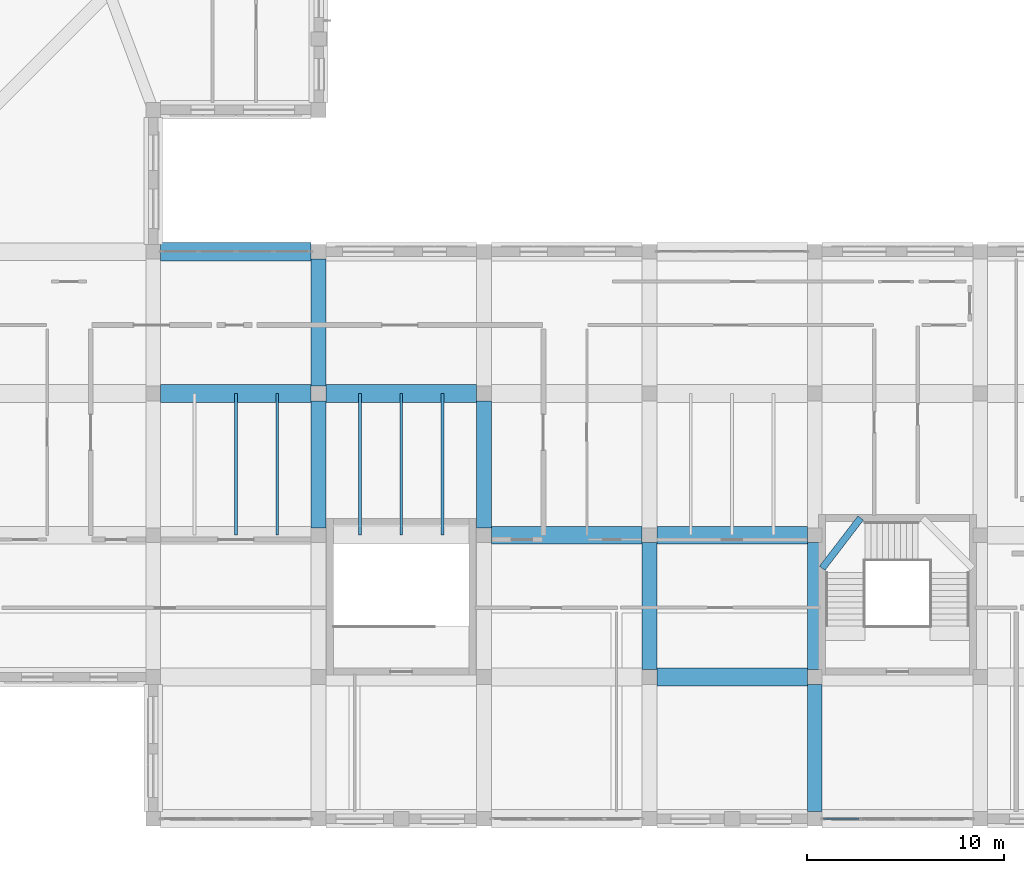
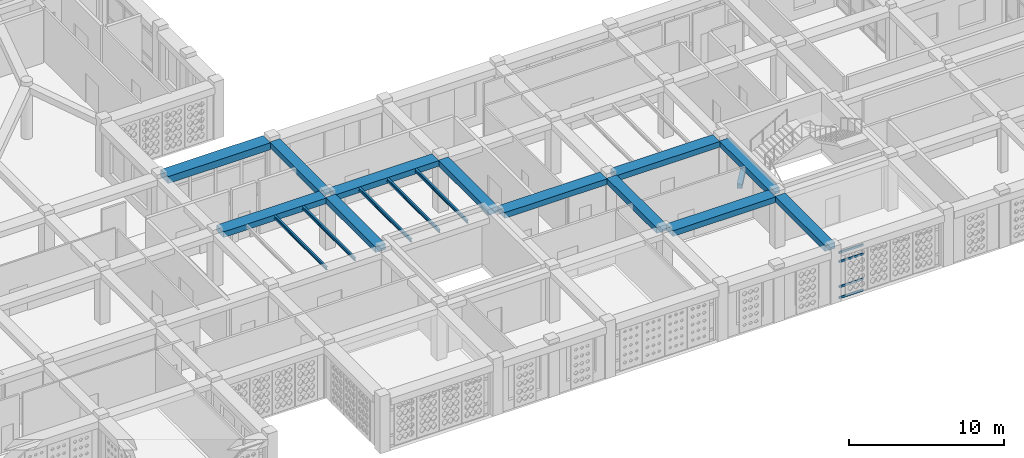
# One storey, part 25 of 111: 18 beams, 4 members, 1 element without a shape of its own.
"""IFC4 building model written with IfcOpenShell, lengths in metres."""

from ifc_helpers import new_model, si_unit, derived_unit, direction, frame, origin, origin_2d, place, context, subcontext, project, spatial, rectangle, hollow_rectangle, i_section, extrude, material, material_profile, profile_set, type_object, element, aggregate, save


model = new_model("IFC4")

# Units and contexts
model_context = context("Model", 3, precision=1e-05, world=origin(), true_north=direction((0.0, 1.0)))
body_context = subcontext(model_context, "Body", "Model", "MODEL_VIEW")
ifc_project = project(units=[si_unit("LENGTHUNIT", "METRE"), si_unit("AREAUNIT", "SQUARE_METRE"), si_unit("VOLUMEUNIT", "CUBIC_METRE"), si_unit("PLANEANGLEUNIT", "RADIAN"), si_unit("MASSUNIT", "GRAM", prefix="KILO"), derived_unit("THERMALTRANSMITTANCEUNIT", [(si_unit("POWERUNIT", "WATT"), 1), (si_unit("LENGTHUNIT", "METRE"), -2), (si_unit("THERMODYNAMICTEMPERATUREUNIT", "KELVIN"), -1)])], contexts=[model_context])

# Site, building, storey
site_placement = place(None, origin())
site = spatial("IfcSite", under=ifc_project, at=site_placement, CompositionType="ELEMENT")
building_placement = place(site_placement, origin())
building = spatial("IfcBuilding", under=site, at=building_placement, Name="Veybourne Emporium", CompositionType="ELEMENT")
storey_placement = place(building_placement, frame((0.0, 0.0, 9.89990234375)))
storey = spatial("IfcBuildingStorey", under=building, at=storey_placement, Name="L02", CompositionType="ELEMENT", Elevation=9.89990234375)

# Curtain wall, members
ifc_material_1 = material(Name="Patinated Architectural Bronze", Category="bronze")
curtain_wall_type = type_object("IfcCurtainWallType", Name="CWSystem_CWS-27", PredefinedType="NOTDEFINED", material=ifc_material_1)
curtain_wall_placement = place(storey_placement, origin())
curtain_wall = element("IfcCurtainWall", 1, at=curtain_wall_placement, inside=storey, type_object=curtain_wall_type, Name="L02 bronze glazed curtain wall CWS-27 (067)", PredefinedType="NOTDEFINED")
ifc_material_profile_1 = material_profile(ifc_material_1, hollow_rectangle(XDim=0.077880859375, YDim=0.18505859375, WallThickness=0.0048828125, InnerFilletRadius=0.007568359375, OuterFilletRadius=0.012451171875, at=origin_2d()), Name="CWT 78x185x5")
ifc_profile_set_1 = profile_set([ifc_material_profile_1], Name="Patinated Architectural Bronze")
member_type = type_object("IfcMemberType", Name="CWTransom_CW-T3", PredefinedType="NOTDEFINED", material=ifc_profile_set_1)
member_1_placement = place(storey_placement, frame((128.24853515625, 0.0, 0.0390625), z_axis=(-1.0, 0.0, 0.0), x_axis=(0.0, -1.0, 0.0)))
member_1 = element("IfcMember", 2, at=member_1_placement, type_object=member_type, Name="CWS-27 transom 4.1", ObjectType="TRANSOM", PredefinedType="USERDEFINED", context=body_context, shape_type="SweptSolid", body=[
    extrude(hollow_rectangle(XDim=0.077880859375, YDim=0.18505859375, WallThickness=0.0048828125, InnerFilletRadius=0.007568359375, OuterFilletRadius=0.012451171875, at=origin_2d()), origin(), (0.0, 0.0, 1.0), 1.795654296875),
])
member_2_placement = place(storey_placement, frame((128.24853515625, 0.0, 0.900146484375), z_axis=(-1.0, 0.0, 0.0), x_axis=(0.0, -1.0, 0.0)))
member_2 = element("IfcMember", 3, at=member_2_placement, type_object=member_type, Name="CWS-27 transom 4.2", ObjectType="TRANSOM", PredefinedType="USERDEFINED", context=body_context, shape_type="SweptSolid", body=[
    extrude(hollow_rectangle(XDim=0.077880859375, YDim=0.18505859375, WallThickness=0.0048828125, InnerFilletRadius=0.007568359375, OuterFilletRadius=0.012451171875, at=origin_2d()), origin(), (0.0, 0.0, 1.0), 1.795654296875),
])
member_3_placement = place(storey_placement, frame((128.24853515625, 0.0, 2.880126953125), z_axis=(-1.0, 0.0, 0.0), x_axis=(0.0, -1.0, 0.0)))
member_3 = element("IfcMember", 4, at=member_3_placement, type_object=member_type, Name="CWS-27 transom 4.3", ObjectType="TRANSOM", PredefinedType="USERDEFINED", context=body_context, shape_type="SweptSolid", body=[
    extrude(hollow_rectangle(XDim=0.077880859375, YDim=0.18505859375, WallThickness=0.0048828125, InnerFilletRadius=0.007568359375, OuterFilletRadius=0.012451171875, at=origin_2d()), origin(), (0.0, 0.0, 1.0), 1.795654296875),
])
member_4_placement = place(storey_placement, frame((128.24853515625, 0.0, 3.591064453125), z_axis=(-1.0, 0.0, 0.0), x_axis=(0.0, -1.0, 0.0)))
member_4 = element("IfcMember", 5, at=member_4_placement, type_object=member_type, Name="CWS-27 transom 4.4", ObjectType="TRANSOM", PredefinedType="USERDEFINED", context=body_context, shape_type="SweptSolid", body=[
    extrude(hollow_rectangle(XDim=0.077880859375, YDim=0.18505859375, WallThickness=0.0048828125, InnerFilletRadius=0.007568359375, OuterFilletRadius=0.012451171875, at=origin_2d()), origin(), (0.0, 0.0, 1.0), 1.795654296875),
])
aggregate(curtain_wall, [member_1, member_2, member_3, member_4])

# Beams
ifc_material_2 = material(Name="Concrete C32/40", Category="concrete")
ifc_material_profile_2 = material_profile(ifc_material_2, rectangle(XDim=0.35009765625, YDim=0.35009765625, at=origin_2d()), Name="RC 350x350")
ifc_profile_set_2 = profile_set([ifc_material_profile_2], Name="Concrete C32/40")
beam_type_1 = type_object("IfcBeamType", Name="LandingBeam_LB-01", PredefinedType="BEAM", material=ifc_profile_set_2)
beam_1_placement = place(storey_placement, frame((126.375, 12.719970703125, 1.125), z_axis=(0.60770640308, 0.794161776753, 0.0), x_axis=(-0.794161776753, 0.60770640308, 0.0)))
element("IfcBeam", 6, at=beam_1_placement, inside=storey, type_object=beam_type_1, Name="L02 ST-06 landing 1 support beam", PredefinedType="BEAM", context=body_context, shape_type="SweptSolid", body=[
    extrude(rectangle(XDim=0.35009765625, YDim=0.35009765625, at=origin_2d()), origin(), (0.0, 0.0, 1.0), 3.217041015625),
])
ifc_material_profile_3 = material_profile(ifc_material_2, rectangle(XDim=0.89990234375, YDim=0.449951171875, at=origin_2d()), Name="RC 900x450")
ifc_profile_set_3 = profile_set([ifc_material_profile_3], Name="Concrete C32/40")
beam_type_2 = type_object("IfcBeamType", Name="RCBeam_BB-03", PredefinedType="BEAM", material=ifc_profile_set_3)
beam_2_placement = place(storey_placement, frame((92.77490234375, 21.60009765625, 3.955078125), z_axis=(1.0, 0.0, 0.0), x_axis=(0.0, 1.0, 0.0)))
element("IfcBeam", 7, at=beam_2_placement, inside=storey, type_object=beam_type_2, Name="L02 X-grid beam BB-03 (11,3)", PredefinedType="BEAM", context=body_context, shape_type="SweptSolid", body=[
    extrude(rectangle(XDim=0.89990234375, YDim=0.449951171875, at=origin_2d()), origin(), (0.0, 0.0, 1.0), 7.650146484375),
])
beam_3_placement = place(storey_placement, frame((101.175048828125, 21.60009765625, 3.955078125), z_axis=(1.0, 0.0, 0.0), x_axis=(0.0, 1.0, 0.0)))
element("IfcBeam", 8, at=beam_3_placement, inside=storey, type_object=beam_type_2, Name="L02 X-grid beam BB-03 (12,3)", PredefinedType="BEAM", context=body_context, shape_type="SweptSolid", body=[
    extrude(rectangle(XDim=0.89990234375, YDim=0.449951171875, at=origin_2d()), origin(), (0.0, 0.0, 1.0), 7.64990234375),
])
beam_4_placement = place(storey_placement, frame((109.574951171875, 14.39990234375, 3.955078125), z_axis=(1.0, 0.0, 0.0), x_axis=(0.0, 1.0, 0.0)))
element("IfcBeam", 9, at=beam_4_placement, inside=storey, type_object=beam_type_2, Name="L02 X-grid beam BB-03 (13,2)", PredefinedType="BEAM", context=body_context, shape_type="SweptSolid", body=[
    extrude(rectangle(XDim=0.89990234375, YDim=0.449951171875, at=origin_2d()), origin(), (0.0, 0.0, 1.0), 7.650146484375),
])
for number, where, z_axis, x_axis, name in (
    (10, (117.97509765625, 7.199951171875, 3.955078125), (1.0, 0.0, 0.0), (0.0, 1.0, 0.0), "L02 X-grid beam BB-03 (14,1)"),
    (11, (117.97509765625, 14.39990234375, 3.955078125), (1.0, 0.0, 0.0), (0.0, 1.0, 0.0), "L02 X-grid beam BB-03 (14,2)"),
):
    element("IfcBeam", number, at=place(storey_placement, frame(where, z_axis=z_axis, x_axis=x_axis)), inside=storey, type_object=beam_type_2, Name=name, PredefinedType="BEAM", context=body_context, shape_type="SweptSolid", body=[
        extrude(rectangle(XDim=0.89990234375, YDim=0.449951171875, at=origin_2d()), origin(), (0.0, 0.0, 1.0), 7.64990234375),
    ])
ifc_material_profile_4 = material_profile(ifc_material_2, rectangle(XDim=0.75, YDim=0.449951171875, at=origin_2d()), Name="RC 750x450")
ifc_profile_set_4 = profile_set([ifc_material_profile_4], Name="Concrete C32/40")
beam_type_3 = type_object("IfcBeamType", Name="RCBeam_BB-04", PredefinedType="BEAM", material=ifc_profile_set_4)
beam_5_placement = place(storey_placement, frame((100.800048828125, 14.77490234375, 3.955078125), z_axis=(0.0, 1.0, 0.0), x_axis=(-1.0, 0.0, 0.0)))
element("IfcBeam", 12, at=beam_5_placement, inside=storey, type_object=beam_type_3, Name="L02 Y-grid beam BB-04 (12,2)", PredefinedType="BEAM", context=body_context, shape_type="SweptSolid", body=[
    extrude(rectangle(XDim=0.75, YDim=0.449951171875, at=origin_2d()), origin(), (0.0, 0.0, 1.0), 6.4501953125),
])
beam_6_placement = place(storey_placement, frame((100.800048828125, 21.97509765625, 3.955078125), z_axis=(0.0, 1.0, 0.0), x_axis=(-1.0, 0.0, 0.0)))
element("IfcBeam", 13, at=beam_6_placement, inside=storey, type_object=beam_type_3, Name="L02 Y-grid beam BB-04 (12,3)", PredefinedType="BEAM", context=body_context, shape_type="SweptSolid", body=[
    extrude(rectangle(XDim=0.75, YDim=0.449951171875, at=origin_2d()), origin(), (0.0, 0.0, 1.0), 6.449951171875),
])
beam_7_placement = place(storey_placement, frame((109.199951171875, 14.77490234375, 3.955078125), z_axis=(0.0, 1.0, 0.0), x_axis=(-1.0, 0.0, 0.0)))
element("IfcBeam", 14, at=beam_7_placement, inside=storey, type_object=beam_type_3, Name="L02 Y-grid beam BB-04 (13,2)", PredefinedType="BEAM", context=body_context, shape_type="SweptSolid", body=[
    extrude(rectangle(XDim=0.75, YDim=0.449951171875, at=origin_2d()), origin(), (0.0, 0.0, 1.0), 6.4501953125),
])
for number, where, z_axis, x_axis, name in (
    (15, (117.60009765625, 7.574951171875, 3.955078125), (0.0, 1.0, 0.0), (-1.0, 0.0, 0.0), "L02 Y-grid beam BB-04 (14,1)"),
    (16, (126.0, 0.375, 3.955078125), (0.0, 1.0, 0.0), (-1.0, 0.0, 0.0), "L02 Y-grid beam BB-04 (15,0)"),
    (17, (126.0, 7.574951171875, 3.955078125), (0.0, 1.0, 0.0), (-1.0, 0.0, 0.0), "L02 Y-grid beam BB-04 (15,1)"),
):
    element("IfcBeam", number, at=place(storey_placement, frame(where, z_axis=z_axis, x_axis=x_axis)), inside=storey, type_object=beam_type_3, Name=name, PredefinedType="BEAM", context=body_context, shape_type="SweptSolid", body=[
        extrude(rectangle(XDim=0.75, YDim=0.449951171875, at=origin_2d()), origin(), (0.0, 0.0, 1.0), 6.449951171875),
    ])
ifc_material_profile_5 = material_profile(ifc_material_2, rectangle(XDim=0.949951171875, YDim=0.550048828125, at=origin_2d()), Name="RC 950x550")
ifc_profile_set_5 = profile_set([ifc_material_profile_5], Name="Concrete C32/40")
beam_type_4 = type_object("IfcBeamType", Name="RCBeam_EB-01", PredefinedType="SPANDREL", material=ifc_profile_set_5)
beam_8_placement = place(storey_placement, frame((92.77490234375, 28.800048828125, 3.905029296875), z_axis=(1.0, 0.0, 0.0), x_axis=(0.0, 1.0, 0.0)))
element("IfcBeam", 18, at=beam_8_placement, inside=storey, type_object=beam_type_4, Name="L02 X-grid beam EB-01 (11,4)", PredefinedType="SPANDREL", context=body_context, shape_type="SweptSolid", body=[
    extrude(rectangle(XDim=0.949951171875, YDim=0.550048828125, at=origin_2d()), origin(), (0.0, 0.0, 1.0), 7.650146484375),
])
ifc_material_3 = material(Name="Steel S355", Category="steel")
ifc_material_profile_6 = material_profile(ifc_material_3, i_section(OverallWidth=0.14599609375, OverallDepth=0.25146484375, WebThickness=0.006103515625, FlangeThickness=0.008544921875, FilletRadius=0.007568359375, at=origin_2d()), Name="UKB 254x146x31")
ifc_profile_set_6 = profile_set([ifc_material_profile_6], Name="Steel S355")
beam_type_5 = type_object("IfcBeamType", Name="SteelBeam_FJ-01", PredefinedType="JOIST", material=ifc_profile_set_6)
for number, where, z_axis, x_axis, name in (
    (19, (96.60009765625, 14.39990234375, 4.052978515625), (0.0, 1.0, 0.0), (-1.0, 0.0, 0.0), "Food hall secondary floor joist 2"),
    (20, (98.699951171875, 14.39990234375, 4.052978515625), (0.0, 1.0, 0.0), (-1.0, 0.0, 0.0), "Food hall secondary floor joist 3"),
    (21, (102.89990234375, 14.39990234375, 4.052978515625), (0.0, 1.0, 0.0), (-1.0, 0.0, 0.0), "Food hall secondary floor joist 5"),
    (22, (105.0, 14.39990234375, 4.052978515625), (0.0, 1.0, 0.0), (-1.0, 0.0, 0.0), "Food hall secondary floor joist 6"),
    (23, (107.10009765625, 14.39990234375, 4.052978515625), (0.0, 1.0, 0.0), (-1.0, 0.0, 0.0), "Food hall secondary floor joist 7"),
):
    element("IfcBeam", number, at=place(storey_placement, frame(where, z_axis=z_axis, x_axis=x_axis)), inside=storey, type_object=beam_type_5, Name=name, PredefinedType="JOIST", context=body_context, shape_type="SweptSolid", body=[
        extrude(i_section(OverallWidth=0.14599609375, OverallDepth=0.25146484375, WebThickness=0.006103515625, FlangeThickness=0.008544921875, FilletRadius=0.007568359375, at=origin_2d()), origin(), (0.0, 0.0, 1.0), 7.2001953125),
    ])

save(model, "model.ifc")
